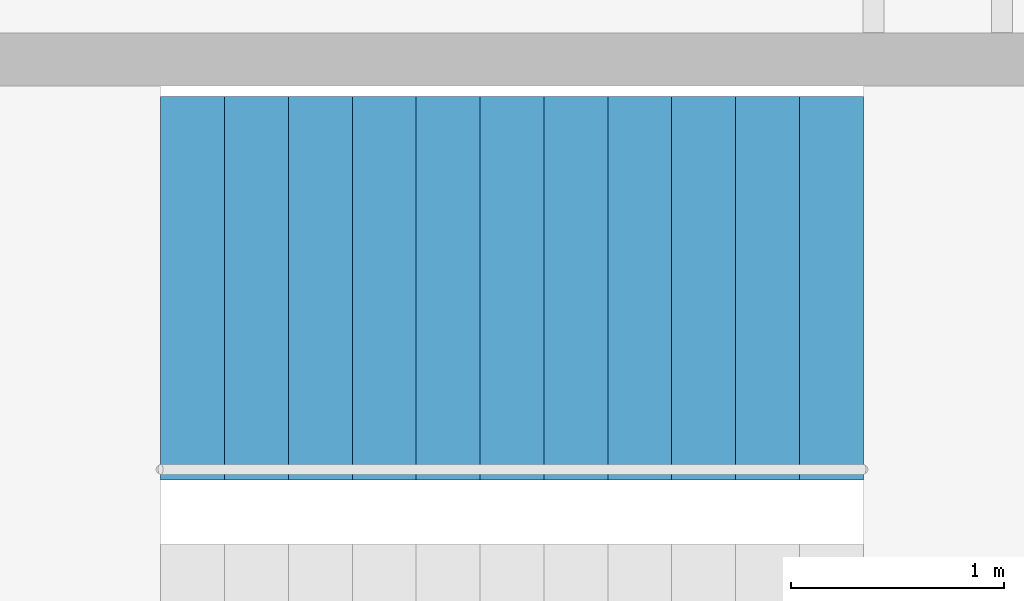
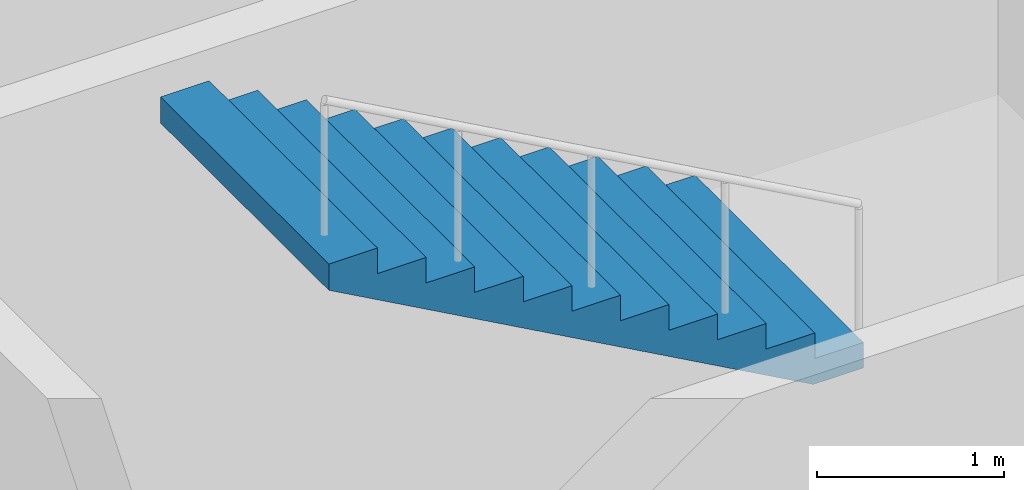
# One storey, part 6 of 8: 1 stair flight, 1 element without a shape of its own.
"""IFC4 building model written with IfcOpenShell, lengths in metres."""

from ifc_helpers import new_model, si_unit, direction, frame, origin, place, context, subcontext, project, spatial, polyline, outline, extrude, material, type_object, element, aggregate, save


model = new_model("IFC4")

# Units and contexts
model_context = context("Model", 3, precision=1e-05, world=origin(), true_north=direction((0.0, 1.0)))
body_context = subcontext(model_context, "Body", "Model", "MODEL_VIEW")
ifc_project = project(units=[si_unit("LENGTHUNIT", "METRE"), si_unit("AREAUNIT", "SQUARE_METRE"), si_unit("VOLUMEUNIT", "CUBIC_METRE"), si_unit("PLANEANGLEUNIT", "RADIAN"), si_unit("MASSUNIT", "GRAM", prefix="KILO")], contexts=[model_context])

# Site, building, storey
site_placement = place(None, origin())
site = spatial("IfcSite", under=ifc_project, at=site_placement, CompositionType="ELEMENT")
building_placement = place(site_placement, origin())
building = spatial("IfcBuilding", under=site, at=building_placement, Name="Cinnabar Reach Civic Tower", CompositionType="ELEMENT")
storey_placement = place(building_placement, frame((0.0, 0.0, 222.0)))
storey = spatial("IfcBuildingStorey", under=building, at=storey_placement, Name="L53", CompositionType="ELEMENT", Elevation=222.0)

# Stair, stair flight
ifc_material = material(Name="Concrete C40/50", Category="concrete")
stair_type = type_object("IfcStairType", Name="T1 Exit stair, half-turn", PredefinedType="HALF_TURN_STAIR", material=ifc_material)
stair_placement = place(storey_placement, origin())
stair = element("IfcStair", 1, at=stair_placement, inside=storey, type_object=stair_type, Name="Stair T1-S3", PredefinedType="HALF_TURN_STAIR")
stair_flight_type = type_object("IfcStairFlightType", Name="T1 Stair flight, concrete", PredefinedType="STRAIGHT", material=ifc_material)
stair_flight_placement = place(storey_placement, frame((35.35, 32.55, 2.0), z_axis=(0.0, 0.0, 1.0), x_axis=(-1.0, 0.0, 0.0)))
stair_flight = element("IfcStairFlight", 2, at=stair_flight_placement, type_object=stair_flight_type, Name="T1-S3 flight 2", NumberOfRisers=12, NumberOfTreads=11, PredefinedType="STRAIGHT", RiserHeight=0.166666667, TreadLength=0.3, context=body_context, shape_type="SweptSolid", body=[
    extrude(outline(polyline([(0.0, 0.0), (0.0, 0.1667), (0.3, 0.1667), (0.3, 0.3333), (0.6, 0.3333), (0.6, 0.5), (0.9, 0.5), (0.9, 0.6667), (1.2, 0.6667), (1.2, 0.8333), (1.5, 0.8333), (1.5, 1.0), (1.8, 1.0), (1.8, 1.1667), (2.1, 1.1667), (2.1, 1.3333), (2.4, 1.3333), (2.4, 1.5), (2.7, 1.5), (2.7, 1.6667), (3.0, 1.6667), (3.0, 1.8333), (3.3, 1.8333), (3.3, 2.0), (3.3, 1.6617), (0.3089, 0.0), (0.0, 0.0)])), frame((0.0, 0.9, 0.0), z_axis=(0.0, -1.0, 0.0), x_axis=(1.0, 0.0, 0.0)), (0.0, 0.0, 1.0), 1.8),
])
aggregate(stair, [stair_flight])

save(model, "model.ifc")
